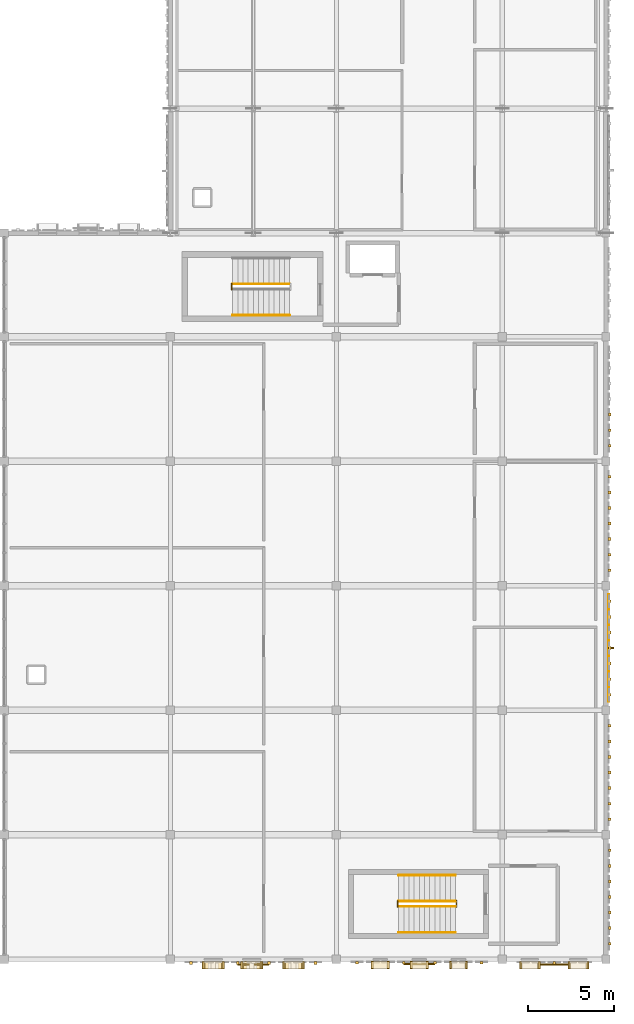
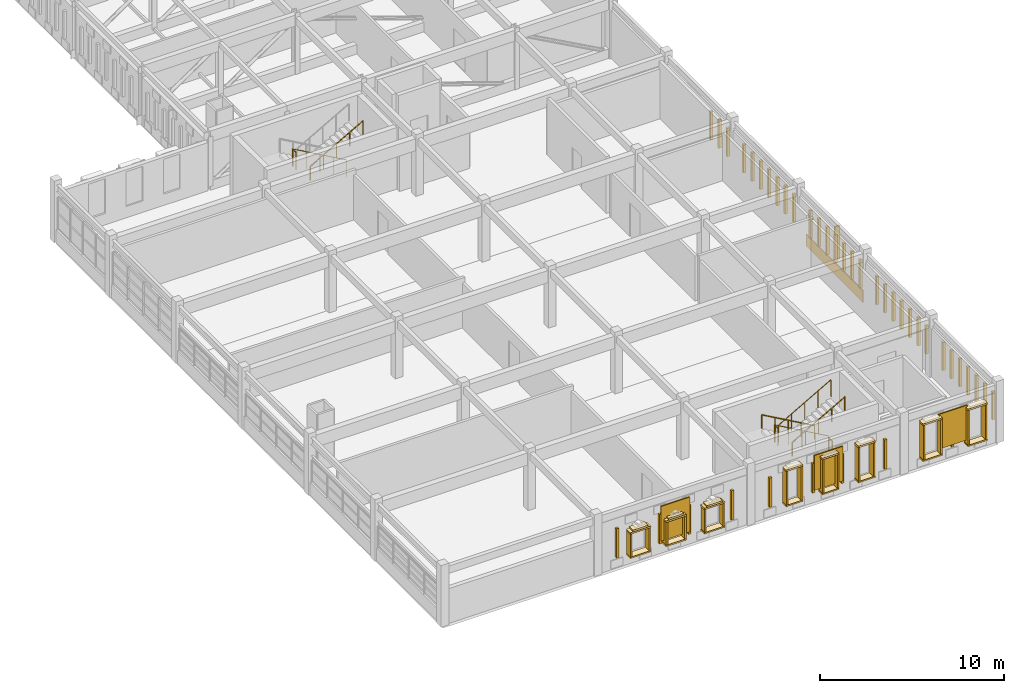
# One storey, part 71 of 79: 76 coverings, 9 railings, 4 shading devices.
"""IFC4 building model written with IfcOpenShell, lengths in metres."""

from ifc_helpers import new_model, si_unit, direction, frame, origin, origin_2d, place, context, subcontext, project, spatial, rectangle, circle, extrude, material, layer, layer_set, type_object, element, save


model = new_model("IFC4")

# Units and contexts
model_context = context("Model", 3, precision=1e-05, world=origin(), true_north=direction((0.0, 1.0)))
body_context = subcontext(model_context, "Body", "Model", "MODEL_VIEW")
ifc_project = project(units=[si_unit("LENGTHUNIT", "METRE"), si_unit("AREAUNIT", "SQUARE_METRE"), si_unit("VOLUMEUNIT", "CUBIC_METRE"), si_unit("PLANEANGLEUNIT", "RADIAN"), si_unit("MASSUNIT", "GRAM", prefix="KILO")], contexts=[model_context])

# Site, building, storey
site_placement = place(None, origin())
site = spatial("IfcSite", under=ifc_project, at=site_placement, CompositionType="ELEMENT")
building_placement = place(site_placement, origin())
building = spatial("IfcBuilding", under=site, at=building_placement, Name="Nzembalo Square Collegiate School", CompositionType="ELEMENT")
storey_placement = place(building_placement, frame((0.0, 0.0, 9.52001953125)))
storey = spatial("IfcBuildingStorey", under=building, at=storey_placement, Name="L02", CompositionType="ELEMENT", Elevation=9.52001953125)

# Coverings
ifc_material_1 = material(Name="Glazed cobalt ceramic patterned tile")
ifc_layer_1 = layer(ifc_material_1, 0.074951171875, Name="Glazed cobalt ceramic patterned tile")
ifc_layer_set_1 = layer_set([ifc_layer_1], Name="Glazed cobalt ceramic patterned tile")
covering_type_1 = type_object("IfcCoveringType", Name="CL01", PredefinedType="CLADDING", material=ifc_layer_set_1)
covering_1_placement = place(storey_placement, frame((165.757568359375, 26.39990234375, 0.02001953125), z_axis=(0.0, 0.0, 1.0), x_axis=(1.0, 0.0, 0.0)))
element("IfcCovering", 1, at=covering_1_placement, inside=storey, type_object=covering_type_1, Name="Faience spandrel cladding CL01-0160", PredefinedType="CLADDING", context=body_context, shape_type="SweptSolid", body=[
    extrude(rectangle(XDim=0.034912109375, YDim=6.216064453125, at=origin_2d()), origin(), (0.0, 0.0, 1.0), 0.800048828125),
])
ifc_material_2 = material(Name="Glazed ochre ceramic lancet rib")
ifc_layer_2 = layer(ifc_material_2, 0.159912109375, Name="Glazed ochre ceramic lancet rib")
ifc_layer_set_2 = layer_set([ifc_layer_2], Name="Glazed ochre ceramic lancet rib")
covering_type_2 = type_object("IfcCoveringType", Name="CL02", PredefinedType="CLADDING", material=ifc_layer_set_2)
for number, where, z_axis, x_axis, name in (
    (2, (165.8125, 9.300048828125, 0.76025390625), (0.0, 0.0, 1.0), (1.0, 0.0, 0.0), "Gothic ceramic rib CL02-Y0158-0"),
    (3, (165.8125, 10.199951171875, 0.76025390625), (0.0, 0.0, 1.0), (1.0, 0.0, 0.0), "Gothic ceramic rib CL02-Y0158-1"),
    (4, (165.8125, 11.10009765625, 0.76025390625), (0.0, 0.0, 1.0), (1.0, 0.0, 0.0), "Gothic ceramic rib CL02-Y0158-2"),
    (5, (165.8125, 12.0, 0.76025390625), (0.0, 0.0, 1.0), (1.0, 0.0, 0.0), "Gothic ceramic rib CL02-Y0158-3"),
    (6, (165.8125, 12.89990234375, 0.76025390625), (0.0, 0.0, 1.0), (1.0, 0.0, 0.0), "Gothic ceramic rib CL02-Y0158-4"),
    (7, (165.8125, 13.800048828125, 0.76025390625), (0.0, 0.0, 1.0), (1.0, 0.0, 0.0), "Gothic ceramic rib CL02-Y0158-5"),
    (8, (165.8125, 14.699951171875, 0.76025390625), (0.0, 0.0, 1.0), (1.0, 0.0, 0.0), "Gothic ceramic rib CL02-Y0158-6"),
    (9, (165.802490234375, 16.5, 0.76025390625), (0.0, 0.0, 1.0), (1.0, 0.0, 0.0), "Gothic ceramic rib CL02-Y0159-0"),
    (10, (165.802490234375, 17.39990234375, 0.76025390625), (0.0, 0.0, 1.0), (1.0, 0.0, 0.0), "Gothic ceramic rib CL02-Y0159-1"),
    (11, (165.802490234375, 18.300048828125, 0.76025390625), (0.0, 0.0, 1.0), (1.0, 0.0, 0.0), "Gothic ceramic rib CL02-Y0159-2"),
    (12, (165.802490234375, 19.199951171875, 0.76025390625), (0.0, 0.0, 1.0), (1.0, 0.0, 0.0), "Gothic ceramic rib CL02-Y0159-3"),
    (13, (165.802490234375, 20.10009765625, 0.76025390625), (0.0, 0.0, 1.0), (1.0, 0.0, 0.0), "Gothic ceramic rib CL02-Y0159-4"),
    (14, (165.802490234375, 21.0, 0.76025390625), (0.0, 0.0, 1.0), (1.0, 0.0, 0.0), "Gothic ceramic rib CL02-Y0159-5"),
    (15, (165.802490234375, 21.89990234375, 0.76025390625), (0.0, 0.0, 1.0), (1.0, 0.0, 0.0), "Gothic ceramic rib CL02-Y0159-6"),
    (16, (165.8125, 23.699951171875, 0.76025390625), (0.0, 0.0, 1.0), (1.0, 0.0, 0.0), "Gothic ceramic rib CL02-Y0160-0"),
    (17, (165.8125, 24.60009765625, 0.76025390625), (0.0, 0.0, 1.0), (1.0, 0.0, 0.0), "Gothic ceramic rib CL02-Y0160-1"),
    (18, (165.8125, 25.5, 0.76025390625), (0.0, 0.0, 1.0), (1.0, 0.0, 0.0), "Gothic ceramic rib CL02-Y0160-2"),
    (19, (165.8125, 26.39990234375, 0.76025390625), (0.0, 0.0, 1.0), (1.0, 0.0, 0.0), "Gothic ceramic rib CL02-Y0160-3"),
    (20, (165.8125, 27.300048828125, 0.76025390625), (0.0, 0.0, 1.0), (1.0, 0.0, 0.0), "Gothic ceramic rib CL02-Y0160-4"),
    (21, (165.8125, 28.199951171875, 0.76025390625), (0.0, 0.0, 1.0), (1.0, 0.0, 0.0), "Gothic ceramic rib CL02-Y0160-5"),
    (22, (165.8125, 29.10009765625, 0.76025390625), (0.0, 0.0, 1.0), (1.0, 0.0, 0.0), "Gothic ceramic rib CL02-Y0160-6"),
    (23, (165.802490234375, 30.89990234375, 0.76025390625), (0.0, 0.0, 1.0), (1.0, 0.0, 0.0), "Gothic ceramic rib CL02-Y0161-0"),
    (24, (165.802490234375, 31.800048828125, 0.76025390625), (0.0, 0.0, 1.0), (1.0, 0.0, 0.0), "Gothic ceramic rib CL02-Y0161-1"),
    (25, (165.802490234375, 32.699951171875, 0.76025390625), (0.0, 0.0, 1.0), (1.0, 0.0, 0.0), "Gothic ceramic rib CL02-Y0161-2"),
    (26, (165.802490234375, 33.60009765625, 0.76025390625), (0.0, 0.0, 1.0), (1.0, 0.0, 0.0), "Gothic ceramic rib CL02-Y0161-3"),
    (27, (165.802490234375, 34.5, 0.76025390625), (0.0, 0.0, 1.0), (1.0, 0.0, 0.0), "Gothic ceramic rib CL02-Y0161-4"),
    (28, (165.802490234375, 35.39990234375, 0.76025390625), (0.0, 0.0, 1.0), (1.0, 0.0, 0.0), "Gothic ceramic rib CL02-Y0161-5"),
    (29, (165.802490234375, 36.300048828125, 0.76025390625), (0.0, 0.0, 1.0), (1.0, 0.0, 0.0), "Gothic ceramic rib CL02-Y0161-6"),
    (30, (165.8125, 38.10009765625, 0.76025390625), (0.0, 0.0, 1.0), (1.0, 0.0, 0.0), "Gothic ceramic rib CL02-Y0162-0"),
    (31, (165.8125, 39.0, 0.76025390625), (0.0, 0.0, 1.0), (1.0, 0.0, 0.0), "Gothic ceramic rib CL02-Y0162-1"),
    (32, (165.8125, 39.89990234375, 0.76025390625), (0.0, 0.0, 1.0), (1.0, 0.0, 0.0), "Gothic ceramic rib CL02-Y0162-2"),
):
    element("IfcCovering", number, at=place(storey_placement, frame(where, z_axis=z_axis, x_axis=x_axis)), inside=storey, type_object=covering_type_2, Name=name, PredefinedType="CLADDING", context=body_context, shape_type="SweptSolid", body=[
        extrude(rectangle(XDim=0.159912109375, YDim=0.159912109375, at=origin_2d()), origin(), (0.0, 0.0, 1.0), 1.868896484375),
    ])
for number, where, z_axis, x_axis, name in (
    (33, (141.60009765625, 8.1875, 0.759765625), (0.0, 0.0, 1.0), (1.0, 0.0, 0.0), "Gothic ceramic rib CL02-X0174-0"),
    (34, (144.300048828125, 8.1875, 0.759765625), (0.0, 0.0, 1.0), (1.0, 0.0, 0.0), "Gothic ceramic rib CL02-X0174-3"),
    (35, (146.10009765625, 8.1875, 0.759765625), (0.0, 0.0, 1.0), (1.0, 0.0, 0.0), "Gothic ceramic rib CL02-X0174-5"),
    (36, (148.800048828125, 8.1875, 0.759765625), (0.0, 0.0, 1.0), (1.0, 0.0, 0.0), "Gothic ceramic rib CL02-X0174-8"),
    (37, (151.199951171875, 8.197509765625, 0.759765625), (0.0, 0.0, 1.0), (1.0, 0.0, 0.0), "Gothic ceramic rib CL02-X0175-0"),
    (38, (153.89990234375, 8.197509765625, 0.759765625), (0.0, 0.0, 1.0), (1.0, 0.0, 0.0), "Gothic ceramic rib CL02-X0175-3"),
    (39, (155.699951171875, 8.197509765625, 0.759765625), (0.0, 0.0, 1.0), (1.0, 0.0, 0.0), "Gothic ceramic rib CL02-X0175-5"),
    (40, (158.39990234375, 8.197509765625, 0.759765625), (0.0, 0.0, 1.0), (1.0, 0.0, 0.0), "Gothic ceramic rib CL02-X0175-8"),
    (41, (162.60009765625, 8.1875, 0.759765625), (0.0, 0.0, 1.0), (1.0, 0.0, 0.0), "Gothic ceramic rib CL02-X0176-2"),
):
    element("IfcCovering", number, at=place(storey_placement, frame(where, z_axis=z_axis, x_axis=x_axis)), inside=storey, type_object=covering_type_2, Name=name, PredefinedType="CLADDING", context=body_context, shape_type="SweptSolid", body=[
        extrude(rectangle(XDim=0.159912109375, YDim=0.159912109375, at=origin_2d()), origin(), (0.0, 0.0, 1.0), 1.948974609375),
    ])
ifc_material_3 = material(Name="Glazed celadon ceramic window frame")
ifc_layer_3 = layer(ifc_material_3, 0.419921875, Name="Glazed celadon ceramic window frame")
ifc_layer_set_3 = layer_set([ifc_layer_3], Name="Glazed celadon ceramic window frame")
covering_type_3 = type_object("IfcCoveringType", Name="WF01", PredefinedType="CLADDING", material=ifc_layer_set_3)
covering_2_placement = place(storey_placement, frame((142.87841796875, 8.052490234375, 2.2548828125), z_axis=(0.0, 0.0, 1.0), x_axis=(1.0, 0.0, 0.0)))
element("IfcCovering", 42, at=covering_2_placement, inside=storey, type_object=covering_type_3, Name="Deep lancet window hood WF01-0458", PredefinedType="CLADDING", context=body_context, shape_type="SweptSolid", body=[
    extrude(rectangle(XDim=1.2900390625, YDim=0.419921875, at=origin_2d()), origin(), (0.0, 0.0, 1.0), 0.110107421875),
])
covering_3_placement = place(storey_placement, frame((142.87841796875, 8.052490234375, 2.35986328125), z_axis=(0.0, 0.0, 1.0), x_axis=(1.0, 0.0, 0.0)))
element("IfcCovering", 43, at=covering_3_placement, inside=storey, type_object=covering_type_3, Name="Pointed lancet gable WF01-0458-1", PredefinedType="CLADDING", context=body_context, shape_type="SweptSolid", body=[
    extrude(rectangle(XDim=0.949951171875, YDim=0.419921875, at=origin_2d()), origin(), (0.0, 0.0, 1.0), 0.1201171875),
])
covering_4_placement = place(storey_placement, frame((142.87841796875, 8.052490234375, 0.65478515625), z_axis=(0.0, 0.0, 1.0), x_axis=(1.0, 0.0, 0.0)))
element("IfcCovering", 44, at=covering_4_placement, inside=storey, type_object=covering_type_3, Name="Deep lancet window sill WF01-0458", PredefinedType="CLADDING", context=body_context, shape_type="SweptSolid", body=[
    extrude(rectangle(XDim=1.2900390625, YDim=0.419921875, at=origin_2d()), origin(), (0.0, 0.0, 1.0), 0.090087890625),
])
for number, where, z_axis, x_axis, name in (
    (45, (142.298583984375, 8.052490234375, 0.75), (0.0, 0.0, 1.0), (1.0, 0.0, 0.0), "Deep lancet window jamb WF01-0458L"),
    (46, (143.45849609375, 8.052490234375, 0.75), (0.0, 0.0, 1.0), (1.0, 0.0, 0.0), "Deep lancet window jamb WF01-0458R"),
):
    element("IfcCovering", number, at=place(storey_placement, frame(where, z_axis=z_axis, x_axis=x_axis)), inside=storey, type_object=covering_type_3, Name=name, PredefinedType="CLADDING", context=body_context, shape_type="SweptSolid", body=[
        extrude(rectangle(XDim=0.10009765625, YDim=0.419921875, at=origin_2d()), origin(), (0.0, 0.0, 1.0), 1.5),
    ])
covering_5_placement = place(storey_placement, frame((145.114990234375, 8.052490234375, 2.2548828125), z_axis=(0.0, 0.0, 1.0), x_axis=(1.0, 0.0, 0.0)))
element("IfcCovering", 47, at=covering_5_placement, inside=storey, type_object=covering_type_3, Name="Deep lancet window hood WF01-0459", PredefinedType="CLADDING", context=body_context, shape_type="SweptSolid", body=[
    extrude(rectangle(XDim=1.2900390625, YDim=0.419921875, at=origin_2d()), origin(), (0.0, 0.0, 1.0), 0.110107421875),
])
covering_6_placement = place(storey_placement, frame((145.114990234375, 8.052490234375, 2.35986328125), z_axis=(0.0, 0.0, 1.0), x_axis=(1.0, 0.0, 0.0)))
element("IfcCovering", 48, at=covering_6_placement, inside=storey, type_object=covering_type_3, Name="Pointed lancet gable WF01-0459-1", PredefinedType="CLADDING", context=body_context, shape_type="SweptSolid", body=[
    extrude(rectangle(XDim=0.949951171875, YDim=0.419921875, at=origin_2d()), origin(), (0.0, 0.0, 1.0), 0.1201171875),
])
covering_7_placement = place(storey_placement, frame((145.114990234375, 8.052490234375, 0.65478515625), z_axis=(0.0, 0.0, 1.0), x_axis=(1.0, 0.0, 0.0)))
element("IfcCovering", 49, at=covering_7_placement, inside=storey, type_object=covering_type_3, Name="Deep lancet window sill WF01-0459", PredefinedType="CLADDING", context=body_context, shape_type="SweptSolid", body=[
    extrude(rectangle(XDim=1.2900390625, YDim=0.419921875, at=origin_2d()), origin(), (0.0, 0.0, 1.0), 0.090087890625),
])
for number, where, z_axis, x_axis, name in (
    (50, (144.534912109375, 8.052490234375, 0.75), (0.0, 0.0, 1.0), (1.0, 0.0, 0.0), "Deep lancet window jamb WF01-0459L"),
    (51, (145.695068359375, 8.052490234375, 0.75), (0.0, 0.0, 1.0), (1.0, 0.0, 0.0), "Deep lancet window jamb WF01-0459R"),
):
    element("IfcCovering", number, at=place(storey_placement, frame(where, z_axis=z_axis, x_axis=x_axis)), inside=storey, type_object=covering_type_3, Name=name, PredefinedType="CLADDING", context=body_context, shape_type="SweptSolid", body=[
        extrude(rectangle(XDim=0.10009765625, YDim=0.419921875, at=origin_2d()), origin(), (0.0, 0.0, 1.0), 1.5),
    ])
covering_8_placement = place(storey_placement, frame((147.521484375, 8.052490234375, 2.2548828125), z_axis=(0.0, 0.0, 1.0), x_axis=(1.0, 0.0, 0.0)))
element("IfcCovering", 52, at=covering_8_placement, inside=storey, type_object=covering_type_3, Name="Deep lancet window hood WF01-0460", PredefinedType="CLADDING", context=body_context, shape_type="SweptSolid", body=[
    extrude(rectangle(XDim=1.2900390625, YDim=0.419921875, at=origin_2d()), origin(), (0.0, 0.0, 1.0), 0.110107421875),
])
covering_9_placement = place(storey_placement, frame((147.521484375, 8.052490234375, 2.35986328125), z_axis=(0.0, 0.0, 1.0), x_axis=(1.0, 0.0, 0.0)))
element("IfcCovering", 53, at=covering_9_placement, inside=storey, type_object=covering_type_3, Name="Pointed lancet gable WF01-0460-1", PredefinedType="CLADDING", context=body_context, shape_type="SweptSolid", body=[
    extrude(rectangle(XDim=0.949951171875, YDim=0.419921875, at=origin_2d()), origin(), (0.0, 0.0, 1.0), 0.1201171875),
])
covering_10_placement = place(storey_placement, frame((147.521484375, 8.052490234375, 0.65478515625), z_axis=(0.0, 0.0, 1.0), x_axis=(1.0, 0.0, 0.0)))
element("IfcCovering", 54, at=covering_10_placement, inside=storey, type_object=covering_type_3, Name="Deep lancet window sill WF01-0460", PredefinedType="CLADDING", context=body_context, shape_type="SweptSolid", body=[
    extrude(rectangle(XDim=1.2900390625, YDim=0.419921875, at=origin_2d()), origin(), (0.0, 0.0, 1.0), 0.090087890625),
])
for number, where, z_axis, x_axis, name in (
    (55, (146.94140625, 8.052490234375, 0.75), (0.0, 0.0, 1.0), (1.0, 0.0, 0.0), "Deep lancet window jamb WF01-0460L"),
    (56, (148.1015625, 8.052490234375, 0.75), (0.0, 0.0, 1.0), (1.0, 0.0, 0.0), "Deep lancet window jamb WF01-0460R"),
):
    element("IfcCovering", number, at=place(storey_placement, frame(where, z_axis=z_axis, x_axis=x_axis)), inside=storey, type_object=covering_type_3, Name=name, PredefinedType="CLADDING", context=body_context, shape_type="SweptSolid", body=[
        extrude(rectangle(XDim=0.10009765625, YDim=0.419921875, at=origin_2d()), origin(), (0.0, 0.0, 1.0), 1.5),
    ])
covering_11_placement = place(storey_placement, frame((152.535888671875, 8.0625, 2.97509765625), z_axis=(0.0, 0.0, 1.0), x_axis=(1.0, 0.0, 0.0)))
element("IfcCovering", 57, at=covering_11_placement, inside=storey, type_object=covering_type_3, Name="Deep lancet window hood WF01-0480", PredefinedType="CLADDING", context=body_context, shape_type="SweptSolid", body=[
    extrude(rectangle(XDim=1.06005859375, YDim=0.419921875, at=origin_2d()), origin(), (0.0, 0.0, 1.0), 0.110107421875),
])
covering_12_placement = place(storey_placement, frame((152.535888671875, 8.0625, 0.65478515625), z_axis=(0.0, 0.0, 1.0), x_axis=(1.0, 0.0, 0.0)))
element("IfcCovering", 58, at=covering_12_placement, inside=storey, type_object=covering_type_3, Name="Deep lancet window sill WF01-0480", PredefinedType="CLADDING", context=body_context, shape_type="SweptSolid", body=[
    extrude(rectangle(XDim=1.06005859375, YDim=0.419921875, at=origin_2d()), origin(), (0.0, 0.0, 1.0), 0.090087890625),
])
for number, where, z_axis, x_axis, name in (
    (59, (152.071044921875, 8.0625, 0.75), (0.0, 0.0, 1.0), (1.0, 0.0, 0.0), "Deep lancet window jamb WF01-0480L"),
    (60, (153.0009765625, 8.0625, 0.75), (0.0, 0.0, 1.0), (1.0, 0.0, 0.0), "Deep lancet window jamb WF01-0480R"),
):
    element("IfcCovering", number, at=place(storey_placement, frame(where, z_axis=z_axis, x_axis=x_axis)), inside=storey, type_object=covering_type_3, Name=name, PredefinedType="CLADDING", context=body_context, shape_type="SweptSolid", body=[
        extrude(rectangle(XDim=0.10009765625, YDim=0.419921875, at=origin_2d()), origin(), (0.0, 0.0, 1.0), 2.219970703125),
    ])
covering_13_placement = place(storey_placement, frame((154.800048828125, 8.0625, 2.97509765625), z_axis=(0.0, 0.0, 1.0), x_axis=(1.0, 0.0, 0.0)))
element("IfcCovering", 61, at=covering_13_placement, inside=storey, type_object=covering_type_3, Name="Deep lancet window hood WF01-0481", PredefinedType="CLADDING", context=body_context, shape_type="SweptSolid", body=[
    extrude(rectangle(XDim=1.06005859375, YDim=0.419921875, at=origin_2d()), origin(), (0.0, 0.0, 1.0), 0.110107421875),
])
covering_14_placement = place(storey_placement, frame((154.800048828125, 8.0625, 0.65478515625), z_axis=(0.0, 0.0, 1.0), x_axis=(1.0, 0.0, 0.0)))
element("IfcCovering", 62, at=covering_14_placement, inside=storey, type_object=covering_type_3, Name="Deep lancet window sill WF01-0481", PredefinedType="CLADDING", context=body_context, shape_type="SweptSolid", body=[
    extrude(rectangle(XDim=1.06005859375, YDim=0.419921875, at=origin_2d()), origin(), (0.0, 0.0, 1.0), 0.090087890625),
])
for number, where, z_axis, x_axis, name in (
    (63, (154.3349609375, 8.0625, 0.75), (0.0, 0.0, 1.0), (1.0, 0.0, 0.0), "Deep lancet window jamb WF01-0481L"),
    (64, (155.264892578125, 8.0625, 0.75), (0.0, 0.0, 1.0), (1.0, 0.0, 0.0), "Deep lancet window jamb WF01-0481R"),
):
    element("IfcCovering", number, at=place(storey_placement, frame(where, z_axis=z_axis, x_axis=x_axis)), inside=storey, type_object=covering_type_3, Name=name, PredefinedType="CLADDING", context=body_context, shape_type="SweptSolid", body=[
        extrude(rectangle(XDim=0.10009765625, YDim=0.419921875, at=origin_2d()), origin(), (0.0, 0.0, 1.0), 2.219970703125),
    ])
covering_15_placement = place(storey_placement, frame((157.06396484375, 8.0625, 2.97509765625), z_axis=(0.0, 0.0, 1.0), x_axis=(1.0, 0.0, 0.0)))
element("IfcCovering", 65, at=covering_15_placement, inside=storey, type_object=covering_type_3, Name="Deep lancet window hood WF01-0482", PredefinedType="CLADDING", context=body_context, shape_type="SweptSolid", body=[
    extrude(rectangle(XDim=1.06005859375, YDim=0.419921875, at=origin_2d()), origin(), (0.0, 0.0, 1.0), 0.110107421875),
])
covering_16_placement = place(storey_placement, frame((157.06396484375, 8.0625, 0.65478515625), z_axis=(0.0, 0.0, 1.0), x_axis=(1.0, 0.0, 0.0)))
element("IfcCovering", 66, at=covering_16_placement, inside=storey, type_object=covering_type_3, Name="Deep lancet window sill WF01-0482", PredefinedType="CLADDING", context=body_context, shape_type="SweptSolid", body=[
    extrude(rectangle(XDim=1.06005859375, YDim=0.419921875, at=origin_2d()), origin(), (0.0, 0.0, 1.0), 0.090087890625),
])
for number, where, z_axis, x_axis, name in (
    (67, (156.59912109375, 8.0625, 0.75), (0.0, 0.0, 1.0), (1.0, 0.0, 0.0), "Deep lancet window jamb WF01-0482L"),
    (68, (157.529052734375, 8.0625, 0.75), (0.0, 0.0, 1.0), (1.0, 0.0, 0.0), "Deep lancet window jamb WF01-0482R"),
):
    element("IfcCovering", number, at=place(storey_placement, frame(where, z_axis=z_axis, x_axis=x_axis)), inside=storey, type_object=covering_type_3, Name=name, PredefinedType="CLADDING", context=body_context, shape_type="SweptSolid", body=[
        extrude(rectangle(XDim=0.10009765625, YDim=0.419921875, at=origin_2d()), origin(), (0.0, 0.0, 1.0), 2.219970703125),
    ])
covering_17_placement = place(storey_placement, frame((161.196044921875, 8.052490234375, 3.03515625), z_axis=(0.0, 0.0, 1.0), x_axis=(1.0, 0.0, 0.0)))
element("IfcCovering", 69, at=covering_17_placement, inside=storey, type_object=covering_type_3, Name="Deep lancet window hood WF01-0483", PredefinedType="CLADDING", context=body_context, shape_type="SweptSolid", body=[
    extrude(rectangle(XDim=1.219970703125, YDim=0.419921875, at=origin_2d()), origin(), (0.0, 0.0, 1.0), 0.110107421875),
])
covering_18_placement = place(storey_placement, frame((161.196044921875, 8.052490234375, 0.65478515625), z_axis=(0.0, 0.0, 1.0), x_axis=(1.0, 0.0, 0.0)))
element("IfcCovering", 70, at=covering_18_placement, inside=storey, type_object=covering_type_3, Name="Deep lancet window sill WF01-0483", PredefinedType="CLADDING", context=body_context, shape_type="SweptSolid", body=[
    extrude(rectangle(XDim=1.219970703125, YDim=0.419921875, at=origin_2d()), origin(), (0.0, 0.0, 1.0), 0.090087890625),
])
for number, where, z_axis, x_axis, name in (
    (71, (160.65087890625, 8.052490234375, 0.75), (0.0, 0.0, 1.0), (1.0, 0.0, 0.0), "Deep lancet window jamb WF01-0483L"),
    (72, (161.740966796875, 8.052490234375, 0.75), (0.0, 0.0, 1.0), (1.0, 0.0, 0.0), "Deep lancet window jamb WF01-0483R"),
):
    element("IfcCovering", number, at=place(storey_placement, frame(where, z_axis=z_axis, x_axis=x_axis)), inside=storey, type_object=covering_type_3, Name=name, PredefinedType="CLADDING", context=body_context, shape_type="SweptSolid", body=[
        extrude(rectangle(XDim=0.10009765625, YDim=0.419921875, at=origin_2d()), origin(), (0.0, 0.0, 1.0), 2.280029296875),
    ])
covering_19_placement = place(storey_placement, frame((164.00390625, 8.052490234375, 3.03515625), z_axis=(0.0, 0.0, 1.0), x_axis=(1.0, 0.0, 0.0)))
element("IfcCovering", 73, at=covering_19_placement, inside=storey, type_object=covering_type_3, Name="Deep lancet window hood WF01-0484", PredefinedType="CLADDING", context=body_context, shape_type="SweptSolid", body=[
    extrude(rectangle(XDim=1.219970703125, YDim=0.419921875, at=origin_2d()), origin(), (0.0, 0.0, 1.0), 0.110107421875),
])
covering_20_placement = place(storey_placement, frame((164.00390625, 8.052490234375, 0.65478515625), z_axis=(0.0, 0.0, 1.0), x_axis=(1.0, 0.0, 0.0)))
element("IfcCovering", 74, at=covering_20_placement, inside=storey, type_object=covering_type_3, Name="Deep lancet window sill WF01-0484", PredefinedType="CLADDING", context=body_context, shape_type="SweptSolid", body=[
    extrude(rectangle(XDim=1.219970703125, YDim=0.419921875, at=origin_2d()), origin(), (0.0, 0.0, 1.0), 0.090087890625),
])
for number, where, z_axis, x_axis, name in (
    (75, (163.458984375, 8.052490234375, 0.75), (0.0, 0.0, 1.0), (1.0, 0.0, 0.0), "Deep lancet window jamb WF01-0484L"),
    (76, (164.549072265625, 8.052490234375, 0.75), (0.0, 0.0, 1.0), (1.0, 0.0, 0.0), "Deep lancet window jamb WF01-0484R"),
):
    element("IfcCovering", number, at=place(storey_placement, frame(where, z_axis=z_axis, x_axis=x_axis)), inside=storey, type_object=covering_type_3, Name=name, PredefinedType="CLADDING", context=body_context, shape_type="SweptSolid", body=[
        extrude(rectangle(XDim=0.10009765625, YDim=0.419921875, at=origin_2d()), origin(), (0.0, 0.0, 1.0), 2.280029296875),
    ])

# Railings
ifc_material_4 = material(Name="Steel S355", Category="steel")
railing_type_1 = type_object("IfcRailingType", Name="GR01", PredefinedType="GUARDRAIL", material=ifc_material_4)
railing_1_placement = place(storey_placement, frame((147.300048828125, 47.449951171875, 0.159912109375)))
element("IfcRailing", 77, at=railing_1_placement, inside=storey, type_object=railing_type_1, Name="Stair guard GR-21-1", PredefinedType="GUARDRAIL", context=body_context, shape_type="SweptSolid", body=[
    extrude(circle(Radius=0.02392578125, at=origin_2d()), frame((0.0, 0.0, 1.1259765625), z_axis=(-0.870012062771, 0.0, 0.493030435808), x_axis=(0.0, -1.0, 0.0)), (0.0, 0.0, 1.0), 3.793212890625),
    extrude(circle(Radius=0.02099609375, at=origin_2d()), origin(), (0.0, 0.0, 1.0), 1.101806640625),
    extrude(circle(Radius=0.02099609375, at=origin_2d()), frame((-0.824951171875, 0.0, 0.467529296875)), (0.0, 0.0, 1.0), 1.101806640625),
    extrude(circle(Radius=0.02099609375, at=origin_2d()), frame((-1.64990234375, 0.0, 0.93505859375)), (0.0, 0.0, 1.0), 1.101806640625),
    extrude(circle(Radius=0.02099609375, at=origin_2d()), frame((-2.47509765625, 0.0, 1.402587890625)), (0.0, 0.0, 1.0), 1.101806640625),
    extrude(circle(Radius=0.02099609375, at=origin_2d()), frame((-3.300048828125, 0.0, 1.8701171875)), (0.0, 0.0, 1.0), 1.101806640625),
])
railing_2_placement = place(storey_placement, frame((143.949951171875, 47.1201171875, 2.034912109375)))
element("IfcRailing", 78, at=railing_2_placement, inside=storey, type_object=railing_type_1, Name="Stair guard GR-21-2", PredefinedType="GUARDRAIL", context=body_context, shape_type="SweptSolid", body=[
    extrude(circle(Radius=0.02392578125, at=origin_2d()), frame((0.0, 0.0, 1.1259765625), z_axis=(0.0, 1.0, 0.0), x_axis=(-1.0, 0.0, 0.0)), (0.0, 0.0, 1.0), 0.35986328125),
    extrude(circle(Radius=0.02099609375, at=origin_2d()), origin(), (0.0, 0.0, 1.0), 1.101806640625),
    extrude(circle(Radius=0.02099609375, at=origin_2d()), frame((0.0, 0.35986328125, 0.0)), (0.0, 0.0, 1.0), 1.101806640625),
])
railing_3_placement = place(storey_placement, frame((156.89990234375, 11.75, 0.159912109375)))
element("IfcRailing", 79, at=railing_3_placement, inside=storey, type_object=railing_type_1, Name="Stair guard GR-26-1", PredefinedType="GUARDRAIL", context=body_context, shape_type="SweptSolid", body=[
    extrude(circle(Radius=0.02392578125, at=origin_2d()), frame((0.0, 0.0, 1.1259765625), z_axis=(-0.869996415849, 0.0, 0.49305804568), x_axis=(0.0, -1.0, 0.0)), (0.0, 0.0, 1.0), 3.79296875),
    extrude(circle(Radius=0.02099609375, at=origin_2d()), origin(), (0.0, 0.0, 1.0), 1.101806640625),
    extrude(circle(Radius=0.02099609375, at=origin_2d()), frame((-0.824951171875, 0.0, 0.467529296875)), (0.0, 0.0, 1.0), 1.101806640625),
    extrude(circle(Radius=0.02099609375, at=origin_2d()), frame((-1.64990234375, 0.0, 0.93505859375)), (0.0, 0.0, 1.0), 1.101806640625),
    extrude(circle(Radius=0.02099609375, at=origin_2d()), frame((-2.474853515625, 0.0, 1.402587890625)), (0.0, 0.0, 1.0), 1.101806640625),
    extrude(circle(Radius=0.02099609375, at=origin_2d()), frame((-3.2998046875, 0.0, 1.8701171875)), (0.0, 0.0, 1.0), 1.101806640625),
])
railing_4_placement = place(storey_placement, frame((153.550048828125, 11.419921875, 2.034912109375)))
element("IfcRailing", 80, at=railing_4_placement, inside=storey, type_object=railing_type_1, Name="Stair guard GR-26-2", PredefinedType="GUARDRAIL", context=body_context, shape_type="SweptSolid", body=[
    extrude(circle(Radius=0.02392578125, at=origin_2d()), frame((0.0, 0.0, 1.1259765625), z_axis=(0.0, 1.0, 0.0), x_axis=(-1.0, 0.0, 0.0)), (0.0, 0.0, 1.0), 0.360107421875),
    extrude(circle(Radius=0.02099609375, at=origin_2d()), origin(), (0.0, 0.0, 1.0), 1.101806640625),
    extrude(circle(Radius=0.02099609375, at=origin_2d()), frame((0.0, 0.360107421875, 0.0)), (0.0, 0.0, 1.0), 1.101806640625),
])
railing_5_placement = place(storey_placement, frame((153.60009765625, 11.449951171875, 2.199951171875)))
element("IfcRailing", 81, at=railing_5_placement, inside=storey, type_object=railing_type_1, Name="Stair guard GR-26-3", PredefinedType="GUARDRAIL", context=body_context, shape_type="SweptSolid", body=[
    extrude(circle(Radius=0.02392578125, at=origin_2d()), frame((0.0, 0.0, 1.1259765625), z_axis=(0.869996415849, 0.0, 0.49305804568), x_axis=(0.0, 1.0, 0.0)), (0.0, 0.0, 1.0), 3.79296875),
    extrude(circle(Radius=0.02099609375, at=origin_2d()), origin(), (0.0, 0.0, 1.0), 1.101806640625),
    extrude(circle(Radius=0.02099609375, at=origin_2d()), frame((0.824951171875, 0.0, 0.467529296875)), (0.0, 0.0, 1.0), 1.101806640625),
    extrude(circle(Radius=0.02099609375, at=origin_2d()), frame((1.64990234375, 0.0, 0.93505859375)), (0.0, 0.0, 1.0), 1.101806640625),
    extrude(circle(Radius=0.02099609375, at=origin_2d()), frame((2.474853515625, 0.0, 1.402587890625)), (0.0, 0.0, 1.0), 1.101806640625),
    extrude(circle(Radius=0.02099609375, at=origin_2d()), frame((3.2998046875, 0.0, 1.8701171875)), (0.0, 0.0, 1.0), 1.101806640625),
])
railing_6_placement = place(storey_placement, frame((156.949951171875, 11.419921875, -0.005126953125)))
element("IfcRailing", 82, at=railing_6_placement, inside=storey, type_object=railing_type_1, Name="Stair guard GR-26-4", PredefinedType="GUARDRAIL", context=body_context, shape_type="SweptSolid", body=[
    extrude(circle(Radius=0.02392578125, at=origin_2d()), frame((0.0, 0.0, 1.1259765625), z_axis=(0.0, 1.0, 0.0), x_axis=(-1.0, 0.0, 0.0)), (0.0, 0.0, 1.0), 0.360107421875),
    extrude(circle(Radius=0.02099609375, at=origin_2d()), origin(), (0.0, 0.0, 1.0), 1.101806640625),
    extrude(circle(Radius=0.02099609375, at=origin_2d()), frame((0.0, 0.360107421875, 0.0)), (0.0, 0.0, 1.0), 1.101806640625),
])
ifc_material_5 = material(Name="Steel S355", Category="steel")
railing_type_2 = type_object("IfcRailingType", Name="HR01", PredefinedType="HANDRAIL", material=ifc_material_5)
railing_7_placement = place(storey_placement, frame((144.0, 45.64990234375, 2.199951171875)))
element("IfcRailing", 83, at=railing_7_placement, inside=storey, type_object=railing_type_2, Name="Stair handrail HR-21-2", PredefinedType="HANDRAIL", context=body_context, shape_type="SweptSolid", body=[
    extrude(circle(Radius=0.02392578125, at=origin_2d()), frame((0.0, 0.0, 0.89599609375), z_axis=(0.870012062771, 0.0, 0.493030435808), x_axis=(0.0, 1.0, 0.0)), (0.0, 0.0, 1.0), 3.793212890625),
    extrude(circle(Radius=0.02099609375, at=origin_2d()), origin(), (0.0, 0.0, 1.0), 0.871826171875),
    extrude(circle(Radius=0.02099609375, at=origin_2d()), frame((0.824951171875, 0.0, 0.467529296875)), (0.0, 0.0, 1.0), 0.871826171875),
    extrude(circle(Radius=0.02099609375, at=origin_2d()), frame((1.64990234375, 0.0, 0.93505859375)), (0.0, 0.0, 1.0), 0.871826171875),
    extrude(circle(Radius=0.02099609375, at=origin_2d()), frame((2.47509765625, 0.0, 1.402587890625)), (0.0, 0.0, 1.0), 0.871826171875),
    extrude(circle(Radius=0.02099609375, at=origin_2d()), frame((3.300048828125, 0.0, 1.8701171875)), (0.0, 0.0, 1.0), 0.871826171875),
])
railing_8_placement = place(storey_placement, frame((156.89990234375, 13.25, 0.159912109375)))
element("IfcRailing", 84, at=railing_8_placement, inside=storey, type_object=railing_type_2, Name="Stair handrail HR-26-1", PredefinedType="HANDRAIL", context=body_context, shape_type="SweptSolid", body=[
    extrude(circle(Radius=0.02392578125, at=origin_2d()), frame((0.0, 0.0, 0.89599609375), z_axis=(-0.869996415849, 0.0, 0.49305804568), x_axis=(0.0, -1.0, 0.0)), (0.0, 0.0, 1.0), 3.79296875),
    extrude(circle(Radius=0.02099609375, at=origin_2d()), origin(), (0.0, 0.0, 1.0), 0.871826171875),
    extrude(circle(Radius=0.02099609375, at=origin_2d()), frame((-0.824951171875, 0.0, 0.467529296875)), (0.0, 0.0, 1.0), 0.871826171875),
    extrude(circle(Radius=0.02099609375, at=origin_2d()), frame((-1.64990234375, 0.0, 0.93505859375)), (0.0, 0.0, 1.0), 0.871826171875),
    extrude(circle(Radius=0.02099609375, at=origin_2d()), frame((-2.474853515625, 0.0, 1.402587890625)), (0.0, 0.0, 1.0), 0.871826171875),
    extrude(circle(Radius=0.02099609375, at=origin_2d()), frame((-3.2998046875, 0.0, 1.8701171875)), (0.0, 0.0, 1.0), 0.871826171875),
])
railing_9_placement = place(storey_placement, frame((153.60009765625, 9.949951171875, 2.199951171875)))
element("IfcRailing", 85, at=railing_9_placement, inside=storey, type_object=railing_type_2, Name="Stair handrail HR-26-2", PredefinedType="HANDRAIL", context=body_context, shape_type="SweptSolid", body=[
    extrude(circle(Radius=0.02392578125, at=origin_2d()), frame((0.0, 0.0, 0.89599609375), z_axis=(0.869996415849, 0.0, 0.49305804568), x_axis=(0.0, 1.0, 0.0)), (0.0, 0.0, 1.0), 3.79296875),
    extrude(circle(Radius=0.02099609375, at=origin_2d()), origin(), (0.0, 0.0, 1.0), 0.871826171875),
    extrude(circle(Radius=0.02099609375, at=origin_2d()), frame((0.824951171875, 0.0, 0.467529296875)), (0.0, 0.0, 1.0), 0.871826171875),
    extrude(circle(Radius=0.02099609375, at=origin_2d()), frame((1.64990234375, 0.0, 0.93505859375)), (0.0, 0.0, 1.0), 0.871826171875),
    extrude(circle(Radius=0.02099609375, at=origin_2d()), frame((2.474853515625, 0.0, 1.402587890625)), (0.0, 0.0, 1.0), 0.871826171875),
    extrude(circle(Radius=0.02099609375, at=origin_2d()), frame((3.2998046875, 0.0, 1.8701171875)), (0.0, 0.0, 1.0), 0.871826171875),
])

# Shading devices
ifc_material_6 = material(Name="Glazed ochre ceramic vertical fin")
shading_device_type_1 = type_object("IfcShadingDeviceType", Name="JL01", PredefinedType="JALOUSIE", material=ifc_material_6)
shading_device_1_placement = place(storey_placement, frame((165.8974609375, 26.39990234375, 0.9501953125), z_axis=(0.0, 0.0, 1.0), x_axis=(1.0, 0.0, 0.0)))
element("IfcShadingDevice", 86, at=shading_device_1_placement, inside=storey, type_object=shading_device_type_1, Name="Ceramic fin JL01-0160", PredefinedType="JALOUSIE", context=body_context, shape_type="SweptSolid", body=[
    extrude(rectangle(XDim=0.320068359375, YDim=0.090087890625, at=origin_2d()), origin(), (0.0, 0.0, 1.0), 2.218994140625),
])
ifc_material_7 = material(Name="Glazed cobalt ceramic lancet screen")
ifc_layer_4 = layer(ifc_material_7, 0.080078125, Name="Glazed cobalt ceramic lancet screen")
ifc_layer_set_4 = layer_set([ifc_layer_4], Name="Glazed cobalt ceramic lancet screen")
shading_device_type_2 = type_object("IfcShadingDeviceType", Name="SC01", PredefinedType="USERDEFINED", material=ifc_layer_set_4)
shading_device_2_placement = place(storey_placement, frame((154.800048828125, 8.117431640625, 0.94970703125), z_axis=(0.0, 0.0, 1.0), x_axis=(1.0, 0.0, 0.0)))
element("IfcShadingDevice", 87, at=shading_device_2_placement, inside=storey, type_object=shading_device_type_2, Name="Ceramic lancet screen SC01-007", ObjectType="SCREEN", PredefinedType="USERDEFINED", context=body_context, shape_type="SweptSolid", body=[
    extrude(rectangle(XDim=1.800048828125, YDim=0.080078125, at=origin_2d()), origin(), (0.0, 0.0, 1.0), 2.299072265625),
])
ifc_material_8 = material(Name="Glazed celadon ceramic lancet screen")
ifc_layer_5 = layer(ifc_material_8, 0.080078125, Name="Glazed celadon ceramic lancet screen")
ifc_layer_set_5 = layer_set([ifc_layer_5], Name="Glazed celadon ceramic lancet screen")
shading_device_type_3 = type_object("IfcShadingDeviceType", Name="SC02", PredefinedType="USERDEFINED", material=ifc_layer_set_5)
for number, where, z_axis, x_axis, name in (
    (88, (145.199951171875, 8.107421875, 0.94970703125), (0.0, 0.0, 1.0), (1.0, 0.0, 0.0), "Ceramic lancet screen SC02-006"),
    (89, (162.60009765625, 8.107421875, 0.94970703125), (0.0, 0.0, 1.0), (1.0, 0.0, 0.0), "Ceramic lancet screen SC02-008"),
):
    element("IfcShadingDevice", number, at=place(storey_placement, frame(where, z_axis=z_axis, x_axis=x_axis)), inside=storey, type_object=shading_device_type_3, Name=name, ObjectType="SCREEN", PredefinedType="USERDEFINED", context=body_context, shape_type="SweptSolid", body=[
        extrude(rectangle(XDim=1.800048828125, YDim=0.080078125, at=origin_2d()), origin(), (0.0, 0.0, 1.0), 2.299072265625),
    ])

save(model, "model.ifc")
